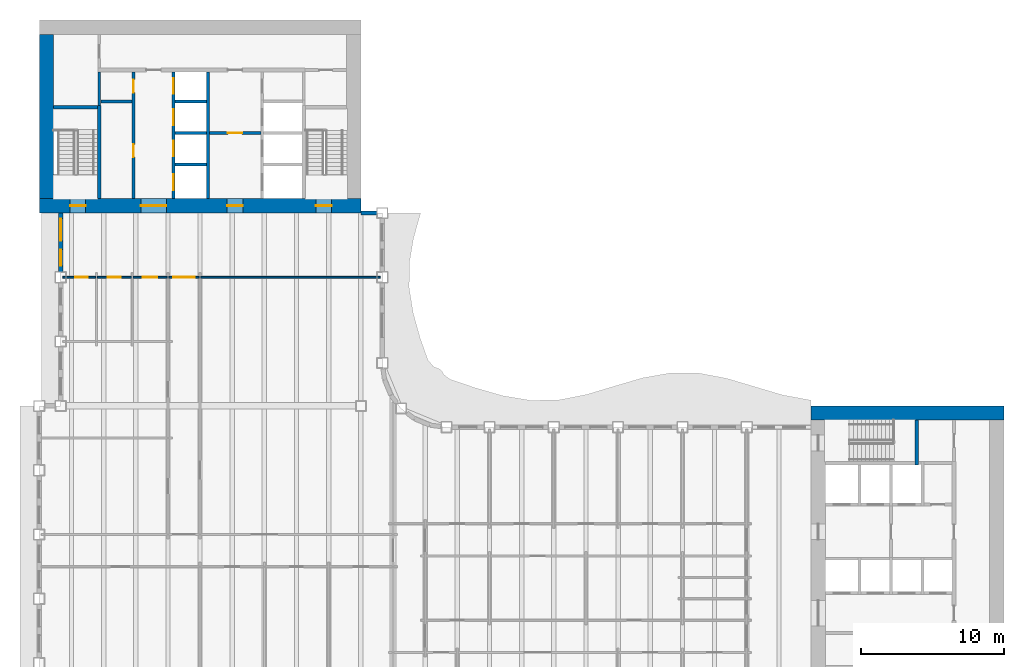
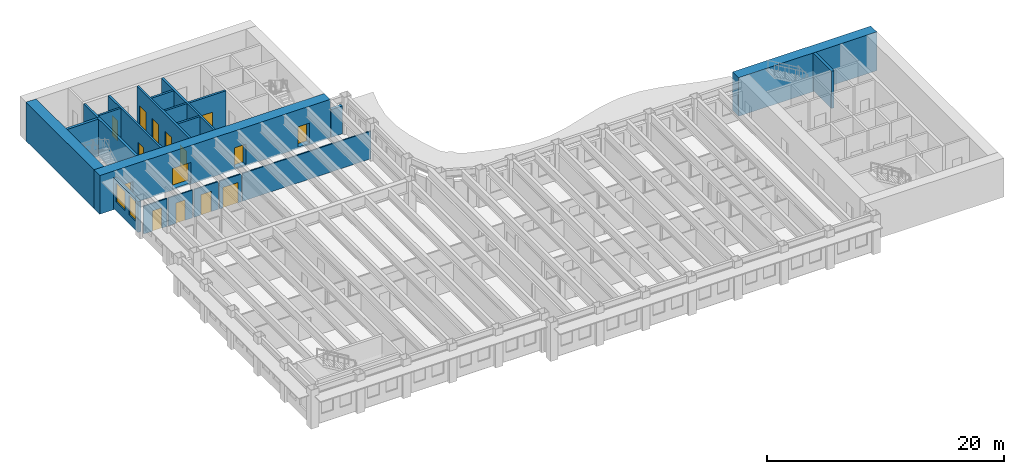
# One storey, part 8 of 16: 22 walls, 15 doors, 2 windows, 17 openings.
"""IFC4 building model written with IfcOpenShell, lengths in metres."""

from ifc_helpers import new_model, si_unit, direction, frame, frame_2d, origin, place, context, subcontext, project, spatial, rectangle, extrude, material, layer, layer_set, type_object, element, fill, save


model = new_model("IFC4")

# Units and contexts
model_context = context("Model", 3, precision=1e-05, world=origin(), true_north=direction((0.0, 1.0)))
body_context = subcontext(model_context, "Body", "Model", "MODEL_VIEW")
ifc_project = project(units=[si_unit("LENGTHUNIT", "METRE"), si_unit("AREAUNIT", "SQUARE_METRE"), si_unit("VOLUMEUNIT", "CUBIC_METRE"), si_unit("PLANEANGLEUNIT", "RADIAN"), si_unit("MASSUNIT", "GRAM", prefix="KILO")], contexts=[model_context])

# Site, building, storey
site_placement = place(None, origin())
site = spatial("IfcSite", under=ifc_project, at=site_placement, CompositionType="ELEMENT")
building_placement = place(site_placement, origin())
building = spatial("IfcBuilding", under=site, at=building_placement, Name="Sennacour Bend Tower", CompositionType="ELEMENT")
storey_placement = place(building_placement, frame((0.0, 0.0, 235.0)))
storey = spatial("IfcBuildingStorey", under=building, at=storey_placement, Name="L54", CompositionType="ELEMENT", Elevation=235.0)

# Wall
ifc_material_1 = material(Name="Concrete C60/75", Category="concrete")
ifc_layer_1 = layer(ifc_material_1, 1.0, Name="Concrete C60/75", Category="concrete")
ifc_layer_set_1 = layer_set([ifc_layer_1], Name="Concrete C60/75")
wall_type_1 = type_object("IfcWallType", Name="Core wall 1000 C60/75", PredefinedType="SHEAR", material=ifc_layer_set_1)
wall_1_placement = place(storey_placement, frame((54.0, 22.0, -0.14990234375), z_axis=(0.0, 0.0, 1.0), x_axis=(1.0, 0.0, 0.0)))
element("IfcWall", 1, at=wall_1_placement, inside=storey, type_object=wall_type_1, Name="Core A wall L54 N", PredefinedType="SHEAR", context=body_context, shape_type="SweptSolid", body=[
    extrude(rectangle(XDim=13.5, YDim=1.0, at=frame_2d((6.75, 0.0))), origin(), (0.0, 0.0, 1.0), 4.0),
])

# Wall, openings, doors
wall_2_placement = place(storey_placement, frame((0.0, 36.5, -0.14990234375), z_axis=(0.0, 0.0, 1.0), x_axis=(1.0, 0.0, 0.0)))
wall_2 = element("IfcWall", 2, at=wall_2_placement, inside=storey, type_object=wall_type_1, Name="Core B wall L54 S", PredefinedType="SHEAR", context=body_context, shape_type="SweptSolid", body=[
    extrude(rectangle(XDim=22.5, YDim=1.0, at=frame_2d((11.25, 0.0))), origin(), (0.0, 0.0, 1.0), 4.0),
])
opening_1_placement = place(wall_2_placement, frame((7.10009765625, 0.0, 0.14990234375)))
opening_1 = element("IfcOpeningElement", 3, at=opening_1_placement, cuts=wall_2, Name="Opening CD", PredefinedType="OPENING", context=body_context, shape_type="SweptSolid", body=[
    extrude(rectangle(XDim=1.800048828125, YDim=2.10009765625, at=frame_2d((0.89990234375, 1.050048828125))), frame((0.0, 0.510009765625, 0.0), z_axis=(0.0, -1.0, 0.0), x_axis=(1.0, 0.0, 0.0)), (0.0, 0.0, 1.0), 1.02001953125),
])
opening_2_placement = place(wall_2_placement, frame((13.14990234375, 0.0, 0.14990234375)))
opening_2 = element("IfcOpeningElement", 4, at=opening_2_placement, cuts=wall_2, Name="Opening FD", PredefinedType="OPENING", context=body_context, shape_type="SweptSolid", body=[
    extrude(rectangle(XDim=1.10009765625, YDim=2.10009765625, at=frame_2d((0.550048828125, 1.050048828125))), frame((0.0, 0.510009765625, 0.0), z_axis=(0.0, -1.0, 0.0), x_axis=(1.0, 0.0, 0.0)), (0.0, 0.0, 1.0), 1.02001953125),
])
opening_3_placement = place(wall_2_placement, frame((2.14990234375, 0.0, 0.14990234375)))
opening_3 = element("IfcOpeningElement", 5, at=opening_3_placement, cuts=wall_2, Name="Opening SD", PredefinedType="OPENING", context=body_context, shape_type="SweptSolid", body=[
    extrude(rectangle(XDim=1.10009765625, YDim=2.10009765625, at=frame_2d((0.550048828125, 1.050048828125))), frame((0.0, 0.510009765625, 0.0), z_axis=(0.0, -1.0, 0.0), x_axis=(1.0, 0.0, 0.0)), (0.0, 0.0, 1.0), 1.02001953125),
])
opening_4_placement = place(wall_2_placement, frame((19.35009765625, 0.0, 0.14990234375)))
opening_4 = element("IfcOpeningElement", 6, at=opening_4_placement, cuts=wall_2, Name="Opening SD", PredefinedType="OPENING", context=body_context, shape_type="SweptSolid", body=[
    extrude(rectangle(XDim=1.10009765625, YDim=2.10009765625, at=frame_2d((0.550048828125, 1.050048828125))), frame((0.0, 0.510009765625, 0.0), z_axis=(0.0, -1.0, 0.0), x_axis=(1.0, 0.0, 0.0)), (0.0, 0.0, 1.0), 1.02001953125),
])
ifc_material_2 = material(Name="Painted steel", Category="steel")
door_type_1 = type_object("IfcDoorType", Name="DR-FFL-1100", OperationType="NOTDEFINED", PredefinedType="DOOR", material=ifc_material_2)
door_1_placement = place(opening_2_placement, origin())
door_1 = element("IfcDoor", 7, at=door_1_placement, inside=storey, type_object=door_type_1, Name="Door", OperationType="SINGLE_SWING_RIGHT", OverallHeight=2.10009765625, OverallWidth=1.10009765625, PredefinedType="DOOR", context=body_context, shape_type="SweptSolid", body=[
    extrude(rectangle(XDim=1.10009765625, YDim=2.10009765625, at=frame_2d((0.550048828125, 1.050048828125))), frame((0.0, 0.02490234375, 0.0), z_axis=(0.0, -1.0, 0.0), x_axis=(1.0, 0.0, 0.0)), (0.0, 0.0, 1.0), 0.050048828125),
])
fill(opening_2, door_1)
door_type_2 = type_object("IfcDoorType", Name="DR-LOBBY-1800", OperationType="NOTDEFINED", PredefinedType="DOOR", material=ifc_material_2)
door_2_placement = place(opening_1_placement, origin())
door_2 = element("IfcDoor", 8, at=door_2_placement, inside=storey, type_object=door_type_2, Name="Door", OperationType="DOUBLE_DOOR_SINGLE_SWING", OverallHeight=2.10009765625, OverallWidth=1.800048828125, PredefinedType="DOOR", context=body_context, shape_type="SweptSolid", body=[
    extrude(rectangle(XDim=1.800048828125, YDim=2.10009765625, at=frame_2d((0.89990234375, 1.050048828125))), frame((0.0, 0.02490234375, 0.0), z_axis=(0.0, -1.0, 0.0), x_axis=(1.0, 0.0, 0.0)), (0.0, 0.0, 1.0), 0.050048828125),
])
fill(opening_1, door_2)
door_type_3 = type_object("IfcDoorType", Name="DR-STAIR-1100", OperationType="NOTDEFINED", PredefinedType="DOOR", material=ifc_material_2)
door_3_placement = place(opening_3_placement, origin())
door_3 = element("IfcDoor", 9, at=door_3_placement, inside=storey, type_object=door_type_3, Name="Door", OperationType="SINGLE_SWING_LEFT", OverallHeight=2.10009765625, OverallWidth=1.10009765625, PredefinedType="DOOR", context=body_context, shape_type="SweptSolid", body=[
    extrude(rectangle(XDim=1.10009765625, YDim=2.10009765625, at=frame_2d((0.550048828125, 1.050048828125))), frame((0.0, 0.02490234375, 0.0), z_axis=(0.0, -1.0, 0.0), x_axis=(1.0, 0.0, 0.0)), (0.0, 0.0, 1.0), 0.050048828125),
])
fill(opening_3, door_3)
door_4_placement = place(opening_4_placement, origin())
door_4 = element("IfcDoor", 10, at=door_4_placement, inside=storey, type_object=door_type_3, Name="Door", OperationType="SINGLE_SWING_RIGHT", OverallHeight=2.10009765625, OverallWidth=1.10009765625, PredefinedType="DOOR", context=body_context, shape_type="SweptSolid", body=[
    extrude(rectangle(XDim=1.10009765625, YDim=2.10009765625, at=frame_2d((0.550048828125, 1.050048828125))), frame((0.0, 0.02490234375, 0.0), z_axis=(0.0, -1.0, 0.0), x_axis=(1.0, 0.0, 0.0)), (0.0, 0.0, 1.0), 0.050048828125),
])
fill(opening_4, door_4)

# Wall
wall_3_placement = place(storey_placement, frame((0.5, 37.0, -0.14990234375), z_axis=(0.0, 0.0, 1.0), x_axis=(0.0, 1.0, 0.0)))
element("IfcWall", 11, at=wall_3_placement, inside=storey, type_object=wall_type_1, Name="Core B wall L54 W", PredefinedType="SHEAR", context=body_context, shape_type="SweptSolid", body=[
    extrude(rectangle(XDim=11.5, YDim=1.0, at=frame_2d((5.75, 0.0))), origin(), (0.0, 0.0, 1.0), 4.0),
])

# Wall, opening, door
ifc_material_3 = material(Name="Plasterboard partition on steel studs", Category="steel")
ifc_layer_2 = layer(ifc_material_3, 0.1201171875, Name="Plasterboard partition on steel studs", Category="steel")
ifc_layer_set_2 = layer_set([ifc_layer_2], Name="Plasterboard partition on steel studs")
wall_type_2 = type_object("IfcWallType", Name="Partition 120", PredefinedType="PARTITIONING", material=ifc_layer_set_2)
wall_4_placement = place(storey_placement, frame((1.64990234375, 31.5, 0.0), z_axis=(0.0, 0.0, 1.0), x_axis=(1.0, 0.0, 0.0)))
wall_4 = element("IfcWall", 12, at=wall_4_placement, inside=storey, type_object=wall_type_2, Name="P-L54-W076aa", PredefinedType="PARTITIONING", context=body_context, shape_type="SweptSolid", body=[
    extrude(rectangle(XDim=2.2900390625, YDim=0.1201171875, at=frame_2d((1.14501953125, 0.0))), origin(), (0.0, 0.0, 1.0), 2.8701171875),
])
opening_5_placement = place(wall_4_placement, frame((0.85009765625, 0.0, 0.0)))
opening_5 = element("IfcOpeningElement", 13, at=opening_5_placement, cuts=wall_4, Name="Opening WD", PredefinedType="OPENING", context=body_context, shape_type="SweptSolid", body=[
    extrude(rectangle(XDim=0.89990234375, YDim=2.10009765625, at=frame_2d((0.449951171875, 1.050048828125))), frame((0.0, 0.070068359375, 0.0), z_axis=(0.0, -1.0, 0.0), x_axis=(1.0, 0.0, 0.0)), (0.0, 0.0, 1.0), 0.14013671875),
])
ifc_material_4 = material(Name="Timber", Category="wood")
door_type_4 = type_object("IfcDoorType", Name="DR-WC-900", OperationType="NOTDEFINED", PredefinedType="DOOR", material=ifc_material_4)
door_5_placement = place(opening_5_placement, origin())
door_5 = element("IfcDoor", 14, at=door_5_placement, inside=storey, type_object=door_type_4, Name="Door", OperationType="SINGLE_SWING_RIGHT", OverallHeight=2.10009765625, OverallWidth=0.89990234375, PredefinedType="DOOR", context=body_context, shape_type="SweptSolid", body=[
    extrude(rectangle(XDim=0.89990234375, YDim=2.10009765625, at=frame_2d((0.449951171875, 1.050048828125))), frame((0.0, 0.02490234375, 0.0), z_axis=(0.0, -1.0, 0.0), x_axis=(1.0, 0.0, 0.0)), (0.0, 0.0, 1.0), 0.050048828125),
])
fill(opening_5, door_5)

wall_5_placement = place(storey_placement, frame((4.06005859375, 31.5, 0.0), z_axis=(0.0, 0.0, 1.0), x_axis=(1.0, 0.0, 0.0)))
wall_5 = element("IfcWall", 15, at=wall_5_placement, inside=storey, type_object=wall_type_2, Name="P-L54-W076ab", PredefinedType="PARTITIONING", context=body_context, shape_type="SweptSolid", body=[
    extrude(rectangle(XDim=2.3798828125, YDim=0.1201171875, at=frame_2d((1.18994140625, 0.0))), origin(), (0.0, 0.0, 1.0), 2.8701171875),
])
opening_6_placement = place(wall_5_placement, frame((0.739990234375, 0.0, 0.0)))
opening_6 = element("IfcOpeningElement", 16, at=opening_6_placement, cuts=wall_5, Name="Opening WD", PredefinedType="OPENING", context=body_context, shape_type="SweptSolid", body=[
    extrude(rectangle(XDim=0.89990234375, YDim=2.10009765625, at=frame_2d((0.449951171875, 1.050048828125))), frame((0.0, 0.070068359375, 0.0), z_axis=(0.0, -1.0, 0.0), x_axis=(1.0, 0.0, 0.0)), (0.0, 0.0, 1.0), 0.14013671875),
])
door_6_placement = place(opening_6_placement, origin())
door_6 = element("IfcDoor", 17, at=door_6_placement, inside=storey, type_object=door_type_4, Name="Door", OperationType="SINGLE_SWING_LEFT", OverallHeight=2.10009765625, OverallWidth=0.89990234375, PredefinedType="DOOR", context=body_context, shape_type="SweptSolid", body=[
    extrude(rectangle(XDim=0.89990234375, YDim=2.10009765625, at=frame_2d((0.449951171875, 1.050048828125))), frame((0.0, 0.02490234375, 0.0), z_axis=(0.0, -1.0, 0.0), x_axis=(1.0, 0.0, 0.0)), (0.0, 0.0, 1.0), 0.050048828125),
])
fill(opening_6, door_6)

wall_6_placement = place(storey_placement, frame((6.56005859375, 31.5, 0.0), z_axis=(0.0, 0.0, 1.0), x_axis=(1.0, 0.0, 0.0)))
wall_6 = element("IfcWall", 18, at=wall_6_placement, inside=storey, type_object=wall_type_2, Name="P-L54-W076ac", PredefinedType="PARTITIONING", context=body_context, shape_type="SweptSolid", body=[
    extrude(rectangle(XDim=2.3798828125, YDim=0.1201171875, at=frame_2d((1.18994140625, 0.0))), origin(), (0.0, 0.0, 1.0), 2.8701171875),
])
opening_7_placement = place(wall_6_placement, frame((0.68994140625, 0.0, 0.0)))
opening_7 = element("IfcOpeningElement", 19, at=opening_7_placement, cuts=wall_6, Name="Opening AD", PredefinedType="OPENING", context=body_context, shape_type="SweptSolid", body=[
    extrude(rectangle(XDim=1.0, YDim=2.10009765625, at=frame_2d((0.5, 1.050048828125))), frame((0.0, 0.070068359375, 0.0), z_axis=(0.0, -1.0, 0.0), x_axis=(1.0, 0.0, 0.0)), (0.0, 0.0, 1.0), 0.14013671875),
])
door_type_5 = type_object("IfcDoorType", Name="DR-ACC-WC-1000", OperationType="NOTDEFINED", PredefinedType="DOOR", material=ifc_material_4)
door_7_placement = place(opening_7_placement, origin())
door_7 = element("IfcDoor", 20, at=door_7_placement, inside=storey, type_object=door_type_5, Name="Door", OperationType="SINGLE_SWING_LEFT", OverallHeight=2.10009765625, OverallWidth=1.0, PredefinedType="DOOR", context=body_context, shape_type="SweptSolid", body=[
    extrude(rectangle(XDim=1.0, YDim=2.10009765625, at=frame_2d((0.5, 1.050048828125))), frame((0.0, 0.02490234375, 0.0), z_axis=(0.0, -1.0, 0.0), x_axis=(1.0, 0.0, 0.0)), (0.0, 0.0, 1.0), 0.050048828125),
])
fill(opening_7, door_7)

# Wall
wall_7_placement = place(storey_placement, frame((11.31005859375, 31.5, 0.0), z_axis=(0.0, 0.0, 1.0), x_axis=(1.0, 0.0, 0.0)))
element("IfcWall", 21, at=wall_7_placement, inside=storey, type_object=wall_type_2, Name="P-L54-W076ae", PredefinedType="PARTITIONING", context=body_context, shape_type="SweptSolid", body=[
    extrude(rectangle(XDim=12.5400390625, YDim=0.1201171875, at=frame_2d((6.27001953125, 0.0))), origin(), (0.0, 0.0, 1.0), 2.8701171875),
])

# Wall, opening, door
ifc_layer_3 = layer(ifc_material_3, 0.1201171875, Name="Plasterboard partition on steel studs", Category="steel")
ifc_layer_set_3 = layer_set([ifc_layer_3], Name="Plasterboard partition on steel studs")
wall_type_3 = type_object("IfcWallType", Name="Partition 120 EI 30", PredefinedType="PARTITIONING", material=ifc_layer_set_3)
wall_8_placement = place(storey_placement, frame((9.06005859375, 31.5, 0.0), z_axis=(0.0, 0.0, 1.0), x_axis=(1.0, 0.0, 0.0)))
wall_8 = element("IfcWall", 22, at=wall_8_placement, inside=storey, type_object=wall_type_3, Name="P-L54-W076ad", PredefinedType="PARTITIONING", context=body_context, shape_type="SweptSolid", body=[
    extrude(rectangle(XDim=2.1298828125, YDim=0.1201171875, at=frame_2d((1.06494140625, 0.0))), origin(), (0.0, 0.0, 1.0), 2.8701171875),
])
opening_8_placement = place(wall_8_placement, frame((0.31494140625, 0.0, 0.0)))
opening_8 = element("IfcOpeningElement", 23, at=opening_8_placement, cuts=wall_8, Name="Opening KD", PredefinedType="OPENING", context=body_context, shape_type="SweptSolid", body=[
    extrude(rectangle(XDim=1.5, YDim=2.10009765625, at=frame_2d((0.75, 1.050048828125))), frame((0.0, 0.070068359375, 0.0), z_axis=(0.0, -1.0, 0.0), x_axis=(1.0, 0.0, 0.0)), (0.0, 0.0, 1.0), 0.14013671875),
])
door_type_6 = type_object("IfcDoorType", Name="DR-CORRIDOR-1500", OperationType="NOTDEFINED", PredefinedType="DOOR", material=ifc_material_2)
door_8_placement = place(opening_8_placement, origin())
door_8 = element("IfcDoor", 24, at=door_8_placement, inside=storey, type_object=door_type_6, Name="Door", OperationType="SINGLE_SWING_LEFT", OverallHeight=2.10009765625, OverallWidth=1.5, PredefinedType="DOOR", context=body_context, shape_type="SweptSolid", body=[
    extrude(rectangle(XDim=1.5, YDim=2.10009765625, at=frame_2d((0.75, 1.050048828125))), frame((0.0, 0.02490234375, 0.0), z_axis=(0.0, -1.0, 0.0), x_axis=(1.0, 0.0, 0.0)), (0.0, 0.0, 1.0), 0.050048828125),
])
fill(opening_8, door_8)

# Wall
ifc_material_5 = material(Name="Fire-rated plasterboard partition on steel studs", Category="steel")
ifc_layer_4 = layer(ifc_material_5, 0.199951171875, Name="Fire-rated plasterboard partition on steel studs", Category="steel")
ifc_layer_set_4 = layer_set([ifc_layer_4], Name="Fire-rated plasterboard partition on steel studs")
wall_type_4 = type_object("IfcWallType", Name="Rated partition 200", PredefinedType="PARTITIONING", material=ifc_layer_set_4)
wall_9_placement = place(storey_placement, frame((4.199951171875, 43.52490234375, 0.0), z_axis=(0.0, 0.0, 1.0), x_axis=(0.0, 1.0, 0.0)))
element("IfcWall", 25, at=wall_9_placement, inside=storey, type_object=wall_type_4, Name="P-L54-W006a", PredefinedType="PARTITIONING", context=body_context, shape_type="SweptSolid", body=[
    extrude(rectangle(XDim=2.3251953125, YDim=0.199951171875, at=frame_2d((1.16259765625, 0.0))), origin(), (0.0, 0.0, 1.0), 3.85009765625),
])

# Wall, openings, doors
wall_10_placement = place(storey_placement, frame((6.60009765625, 37.0, 0.0), z_axis=(0.0, 0.0, 1.0), x_axis=(0.0, 1.0, 0.0)))
wall_10 = element("IfcWall", 26, at=wall_10_placement, inside=storey, type_object=wall_type_4, Name="P-L54-W008", PredefinedType="PARTITIONING", context=body_context, shape_type="SweptSolid", body=[
    extrude(rectangle(XDim=8.85009765625, YDim=0.199951171875, at=frame_2d((4.425048828125, 0.0))), origin(), (0.0, 0.0, 1.0), 3.85009765625),
])
opening_9_placement = place(wall_10_placement, frame((2.89990234375, 0.0, 0.0)))
opening_9 = element("IfcOpeningElement", 27, at=opening_9_placement, cuts=wall_10, Name="Opening SV", PredefinedType="OPENING", context=body_context, shape_type="SweptSolid", body=[
    extrude(rectangle(XDim=0.89990234375, YDim=2.10009765625, at=frame_2d((0.449951171875, 1.050048828125))), frame((0.0, 0.10986328125, 0.0), z_axis=(0.0, -1.0, 0.0), x_axis=(1.0, 0.0, 0.0)), (0.0, 0.0, 1.0), 0.219970703125),
])
opening_10_placement = place(wall_10_placement, frame((7.425048828125, 0.0, 0.0)))
opening_10 = element("IfcOpeningElement", 28, at=opening_10_placement, cuts=wall_10, Name="Opening SV", PredefinedType="OPENING", context=body_context, shape_type="SweptSolid", body=[
    extrude(rectangle(XDim=0.89990234375, YDim=2.10009765625, at=frame_2d((0.449951171875, 1.050048828125))), frame((0.0, 0.10986328125, 0.0), z_axis=(0.0, -1.0, 0.0), x_axis=(1.0, 0.0, 0.0)), (0.0, 0.0, 1.0), 0.219970703125),
])
door_type_7 = type_object("IfcDoorType", Name="DR-SERVICE-900", OperationType="NOTDEFINED", PredefinedType="DOOR", material=ifc_material_2)
door_9_placement = place(opening_9_placement, origin())
door_9 = element("IfcDoor", 29, at=door_9_placement, inside=storey, type_object=door_type_7, Name="Door", OperationType="SINGLE_SWING_LEFT", OverallHeight=2.10009765625, OverallWidth=0.89990234375, PredefinedType="DOOR", context=body_context, shape_type="SweptSolid", body=[
    extrude(rectangle(XDim=0.89990234375, YDim=2.10009765625, at=frame_2d((0.449951171875, 1.050048828125))), frame((0.0, 0.02490234375, 0.0), z_axis=(0.0, -1.0, 0.0), x_axis=(1.0, 0.0, 0.0)), (0.0, 0.0, 1.0), 0.050048828125),
])
fill(opening_9, door_9)
door_10_placement = place(opening_10_placement, origin())
door_10 = element("IfcDoor", 30, at=door_10_placement, inside=storey, type_object=door_type_7, Name="Door", OperationType="SINGLE_SWING_RIGHT", OverallHeight=2.10009765625, OverallWidth=0.89990234375, PredefinedType="DOOR", context=body_context, shape_type="SweptSolid", body=[
    extrude(rectangle(XDim=0.89990234375, YDim=2.10009765625, at=frame_2d((0.449951171875, 1.050048828125))), frame((0.0, 0.02490234375, 0.0), z_axis=(0.0, -1.0, 0.0), x_axis=(1.0, 0.0, 0.0)), (0.0, 0.0, 1.0), 0.050048828125),
])
fill(opening_10, door_10)

# Wall
wall_11_placement = place(storey_placement, frame((4.300048828125, 43.800048828125, 0.0), z_axis=(0.0, 0.0, 1.0), x_axis=(1.0, 0.0, 0.0)))
element("IfcWall", 31, at=wall_11_placement, inside=storey, type_object=wall_type_4, Name="P-L54-W085", PredefinedType="PARTITIONING", context=body_context, shape_type="SweptSolid", body=[
    extrude(rectangle(XDim=2.199951171875, YDim=0.199951171875, at=frame_2d((1.10009765625, 0.0))), origin(), (0.0, 0.0, 1.0), 3.85009765625),
])

# Wall, opening, door
ifc_layer_5 = layer(ifc_material_5, 0.199951171875, Name="Fire-rated plasterboard partition on steel studs", Category="steel")
ifc_layer_set_5 = layer_set([ifc_layer_5], Name="Fire-rated plasterboard partition on steel studs")
wall_type_5 = type_object("IfcWallType", Name="Rated partition 200 EI 90", PredefinedType="PARTITIONING", material=ifc_layer_set_5)
wall_12_placement = place(storey_placement, frame((11.89990234375, 41.60009765625, 0.0), z_axis=(0.0, 0.0, 1.0), x_axis=(1.0, 0.0, 0.0)))
wall_12 = element("IfcWall", 32, at=wall_12_placement, inside=storey, type_object=wall_type_5, Name="P-L54-W081", PredefinedType="PARTITIONING", context=body_context, shape_type="SweptSolid", body=[
    extrude(rectangle(XDim=3.60009765625, YDim=0.199951171875, at=frame_2d((1.800048828125, 0.0))), origin(), (0.0, 0.0, 1.0), 3.85009765625),
])
opening_11_placement = place(wall_12_placement, frame((1.300048828125, 0.0, 0.0)))
opening_11 = element("IfcOpeningElement", 33, at=opening_11_placement, cuts=wall_12, Name="Opening FD2", PredefinedType="OPENING", context=body_context, shape_type="SweptSolid", body=[
    extrude(rectangle(XDim=1.0, YDim=2.10009765625, at=frame_2d((0.5, 1.050048828125))), frame((0.0, 0.10986328125, 0.0), z_axis=(0.0, -1.0, 0.0), x_axis=(1.0, 0.0, 0.0)), (0.0, 0.0, 1.0), 0.219970703125),
])
door_type_8 = type_object("IfcDoorType", Name="DR-FFL-1000", OperationType="NOTDEFINED", PredefinedType="DOOR", material=ifc_material_2)
door_11_placement = place(opening_11_placement, origin())
door_11 = element("IfcDoor", 34, at=door_11_placement, inside=storey, type_object=door_type_8, Name="Door", OperationType="SINGLE_SWING_RIGHT", OverallHeight=2.10009765625, OverallWidth=1.0, PredefinedType="DOOR", context=body_context, shape_type="SweptSolid", body=[
    extrude(rectangle(XDim=1.0, YDim=2.10009765625, at=frame_2d((0.5, 1.050048828125))), frame((0.0, 0.02490234375, 0.0), z_axis=(0.0, -1.0, 0.0), x_axis=(1.0, 0.0, 0.0)), (0.0, 0.0, 1.0), 0.050048828125),
])
fill(opening_11, door_11)

# Wall
ifc_material_6 = material(Name="Warm limestone cladding", Category="masonry")
ifc_layer_6 = layer(ifc_material_6, 0.050048828125, Name="Warm limestone cladding", Category="masonry")
ifc_material_7 = material(Name="Precast concrete C40/50", Category="concrete")
ifc_layer_7 = layer(ifc_material_7, 0.25, Name="Precast concrete C40/50", Category="concrete")
ifc_layer_set_6 = layer_set([ifc_layer_6, ifc_layer_7], Name="Precast concrete C40/50 with limestone cladding")
wall_type_6 = type_object("IfcWallType", Name="STONE-CLAD PRECAST SPANDREL 300", PredefinedType="STANDARD", material=ifc_layer_set_6)
wall_13_placement = place(storey_placement, frame((23.625, 36.0, 0.0), z_axis=(0.0, 0.0, 1.0), x_axis=(-1.0, 0.0, 0.0)))
element("IfcWall", 35, at=wall_13_placement, inside=storey, type_object=wall_type_6, Name="Stone spandrel and pier wall L54 14.00", PredefinedType="STANDARD", context=body_context, shape_type="SweptSolid", body=[
    extrude(rectangle(XDim=1.125, YDim=0.300048828125, at=frame_2d((0.5625, 0.0))), origin(), (0.0, 0.0, 1.0), 2.8701171875),
])

# Wall, openings, windows
wall_14_placement = place(storey_placement, frame((1.5, 36.0, 0.0), z_axis=(0.0, 0.0, 1.0), x_axis=(0.0, -1.0, 0.0)))
wall_14 = element("IfcWall", 36, at=wall_14_placement, inside=storey, type_object=wall_type_6, Name="Stone spandrel and pier wall L54 19.00", PredefinedType="STANDARD", context=body_context, shape_type="SweptSolid", body=[
    extrude(rectangle(XDim=4.125, YDim=0.300048828125, at=frame_2d((2.0625, 0.0))), origin(), (0.0, 0.0, 1.0), 3.156982421875),
])
opening_12_placement = place(wall_14_placement, frame((0.39990234375, 0.0, 0.89990234375)))
opening_12 = element("IfcOpeningElement", 37, at=opening_12_placement, cuts=wall_14, Name="Opening W9", PredefinedType="OPENING", context=body_context, shape_type="SweptSolid", body=[
    extrude(rectangle(XDim=1.550048828125, YDim=2.0, at=frame_2d((0.77490234375, 1.0))), frame((0.0, 0.16015625, 0.0), z_axis=(0.0, -1.0, 0.0), x_axis=(1.0, 0.0, 0.0)), (0.0, 0.0, 1.0), 0.320068359375),
])
opening_13_placement = place(wall_14_placement, frame((2.5625, 0.0, 0.89990234375)))
opening_13 = element("IfcOpeningElement", 38, at=opening_13_placement, cuts=wall_14, Name="Opening W24", PredefinedType="OPENING", context=body_context, shape_type="SweptSolid", body=[
    extrude(rectangle(XDim=1.14990234375, YDim=2.0, at=frame_2d((0.574951171875, 1.0))), frame((0.0, 0.16015625, 0.0), z_axis=(0.0, -1.0, 0.0), x_axis=(1.0, 0.0, 0.0)), (0.0, 0.0, 1.0), 0.320068359375),
])
ifc_material_8 = material(Name="Clear low-emissivity glass", Category="glass")
window_type_1 = type_object("IfcWindowType", Name="WIN-RIBBON-1150x2000", PartitioningType="SINGLE_PANEL", PredefinedType="WINDOW", material=ifc_material_8)
window_1_placement = place(opening_13_placement, origin())
window_1 = element("IfcWindow", 39, at=window_1_placement, inside=storey, type_object=window_type_1, Name="Ribbon window L54 19.00.1", OverallHeight=2.0, OverallWidth=1.14990234375, PartitioningType="SINGLE_PANEL", PredefinedType="WINDOW", context=body_context, shape_type="SweptSolid", body=[
    extrude(rectangle(XDim=1.14990234375, YDim=2.0, at=frame_2d((0.574951171875, 1.0))), frame((0.0, 0.030029296875, 0.0), z_axis=(0.0, -1.0, 0.0), x_axis=(1.0, 0.0, 0.0)), (0.0, 0.0, 1.0), 0.06005859375),
])
fill(opening_13, window_1)
window_type_2 = type_object("IfcWindowType", Name="WIN-RIBBON-1550x2000", PartitioningType="SINGLE_PANEL", PredefinedType="WINDOW", material=ifc_material_8)
window_2_placement = place(opening_12_placement, origin())
window_2 = element("IfcWindow", 40, at=window_2_placement, inside=storey, type_object=window_type_2, Name="Ribbon window L54 19.00.0", OverallHeight=2.0, OverallWidth=1.550048828125, PartitioningType="SINGLE_PANEL", PredefinedType="WINDOW", context=body_context, shape_type="SweptSolid", body=[
    extrude(rectangle(XDim=1.550048828125, YDim=2.0, at=frame_2d((0.77490234375, 1.0))), frame((0.0, 0.030029296875, 0.0), z_axis=(0.0, -1.0, 0.0), x_axis=(1.0, 0.0, 0.0)), (0.0, 0.0, 1.0), 0.06005859375),
])
fill(opening_12, window_2)

# Wall, openings, doors
ifc_material_9 = material(Name="Concrete C50/60", Category="concrete")
ifc_layer_8 = layer(ifc_material_9, 0.199951171875, Name="Concrete C50/60", Category="concrete")
ifc_layer_set_7 = layer_set([ifc_layer_8], Name="Concrete C50/60")
wall_type_7 = type_object("IfcWallType", Name="Shaft wall 200", PredefinedType="SOLIDWALL", material=ifc_layer_set_7)
wall_15_placement = place(storey_placement, frame((9.39990234375, 37.0, 0.0), z_axis=(0.0, 0.0, 1.0), x_axis=(0.0, 1.0, 0.0)))
wall_15 = element("IfcWall", 41, at=wall_15_placement, inside=storey, type_object=wall_type_7, Name="P-L54-W011", PredefinedType="SOLIDWALL", context=body_context, shape_type="SweptSolid", body=[
    extrude(rectangle(XDim=8.85009765625, YDim=0.199951171875, at=frame_2d((4.425048828125, 0.0))), origin(), (0.0, 0.0, 1.0), 3.85009765625),
])
opening_14_placement = place(wall_15_placement, frame((0.60009765625, 0.0, 0.011962890625)))
opening_14 = element("IfcOpeningElement", 42, at=opening_14_placement, cuts=wall_15, Name="Opening LD", PredefinedType="OPENING", context=body_context, shape_type="SweptSolid", body=[
    extrude(rectangle(XDim=1.10009765625, YDim=2.10009765625, at=frame_2d((0.550048828125, 1.050048828125))), frame((0.0, 0.10986328125, 0.0), z_axis=(0.0, -1.0, 0.0), x_axis=(1.0, 0.0, 0.0)), (0.0, 0.0, 1.0), 0.219970703125),
])
opening_15_placement = place(wall_15_placement, frame((2.949951171875, 0.0, 0.011962890625)))
opening_15 = element("IfcOpeningElement", 43, at=opening_15_placement, cuts=wall_15, Name="Opening LD", PredefinedType="OPENING", context=body_context, shape_type="SweptSolid", body=[
    extrude(rectangle(XDim=1.10009765625, YDim=2.10009765625, at=frame_2d((0.550048828125, 1.050048828125))), frame((0.0, 0.10986328125, 0.0), z_axis=(0.0, -1.0, 0.0), x_axis=(1.0, 0.0, 0.0)), (0.0, 0.0, 1.0), 0.219970703125),
])
opening_16_placement = place(wall_15_placement, frame((5.14990234375, 0.0, 0.011962890625)))
opening_16 = element("IfcOpeningElement", 44, at=opening_16_placement, cuts=wall_15, Name="Opening LD", PredefinedType="OPENING", context=body_context, shape_type="SweptSolid", body=[
    extrude(rectangle(XDim=1.10009765625, YDim=2.10009765625, at=frame_2d((0.550048828125, 1.050048828125))), frame((0.0, 0.10986328125, 0.0), z_axis=(0.0, -1.0, 0.0), x_axis=(1.0, 0.0, 0.0)), (0.0, 0.0, 1.0), 0.219970703125),
])
opening_17_placement = place(wall_15_placement, frame((7.324951171875, 0.0, 0.011962890625)))
opening_17 = element("IfcOpeningElement", 45, at=opening_17_placement, cuts=wall_15, Name="Opening LD", PredefinedType="OPENING", context=body_context, shape_type="SweptSolid", body=[
    extrude(rectangle(XDim=1.10009765625, YDim=2.10009765625, at=frame_2d((0.550048828125, 1.050048828125))), frame((0.0, 0.10986328125, 0.0), z_axis=(0.0, -1.0, 0.0), x_axis=(1.0, 0.0, 0.0)), (0.0, 0.0, 1.0), 0.219970703125),
])
ifc_material_10 = material(Name="Stainless steel", Category="steel")
door_type_9 = type_object("IfcDoorType", Name="DR-LANDING-1100", OperationType="NOTDEFINED", PredefinedType="DOOR", material=ifc_material_10)
door_12_placement = place(opening_14_placement, origin())
door_12 = element("IfcDoor", 46, at=door_12_placement, inside=storey, type_object=door_type_9, Name="Lift landing door MB1", OperationType="SLIDING_TO_RIGHT", OverallHeight=2.10009765625, OverallWidth=1.10009765625, PredefinedType="DOOR", context=body_context, shape_type="SweptSolid", body=[
    extrude(rectangle(XDim=1.10009765625, YDim=2.10009765625, at=frame_2d((0.550048828125, 1.050048828125))), frame((0.0, 0.02490234375, 0.0), z_axis=(0.0, -1.0, 0.0), x_axis=(1.0, 0.0, 0.0)), (0.0, 0.0, 1.0), 0.050048828125),
])
fill(opening_14, door_12)
door_13_placement = place(opening_15_placement, origin())
door_13 = element("IfcDoor", 47, at=door_13_placement, inside=storey, type_object=door_type_9, Name="Lift landing door MB2", OperationType="SLIDING_TO_LEFT", OverallHeight=2.10009765625, OverallWidth=1.10009765625, PredefinedType="DOOR", context=body_context, shape_type="SweptSolid", body=[
    extrude(rectangle(XDim=1.10009765625, YDim=2.10009765625, at=frame_2d((0.550048828125, 1.050048828125))), frame((0.0, 0.02490234375, 0.0), z_axis=(0.0, -1.0, 0.0), x_axis=(1.0, 0.0, 0.0)), (0.0, 0.0, 1.0), 0.050048828125),
])
fill(opening_15, door_13)
door_14_placement = place(opening_16_placement, origin())
door_14 = element("IfcDoor", 48, at=door_14_placement, inside=storey, type_object=door_type_9, Name="Lift landing door MB3", OperationType="SLIDING_TO_RIGHT", OverallHeight=2.10009765625, OverallWidth=1.10009765625, PredefinedType="DOOR", context=body_context, shape_type="SweptSolid", body=[
    extrude(rectangle(XDim=1.10009765625, YDim=2.10009765625, at=frame_2d((0.550048828125, 1.050048828125))), frame((0.0, 0.02490234375, 0.0), z_axis=(0.0, -1.0, 0.0), x_axis=(1.0, 0.0, 0.0)), (0.0, 0.0, 1.0), 0.050048828125),
])
fill(opening_16, door_14)
door_15_placement = place(opening_17_placement, origin())
door_15 = element("IfcDoor", 49, at=door_15_placement, inside=storey, type_object=door_type_9, Name="Lift landing door MB4", OperationType="SLIDING_TO_LEFT", OverallHeight=2.10009765625, OverallWidth=1.10009765625, PredefinedType="DOOR", context=body_context, shape_type="SweptSolid", body=[
    extrude(rectangle(XDim=1.10009765625, YDim=2.10009765625, at=frame_2d((0.550048828125, 1.050048828125))), frame((0.0, 0.02490234375, 0.0), z_axis=(0.0, -1.0, 0.0), x_axis=(1.0, 0.0, 0.0)), (0.0, 0.0, 1.0), 0.050048828125),
])
fill(opening_17, door_15)

# Walls
wall_16_placement = place(storey_placement, frame((11.800048828125, 37.0, 0.0), z_axis=(0.0, 0.0, 1.0), x_axis=(0.0, 1.0, 0.0)))
element("IfcWall", 50, at=wall_16_placement, inside=storey, type_object=wall_type_7, Name="P-L54-W014", PredefinedType="SOLIDWALL", context=body_context, shape_type="SweptSolid", body=[
    extrude(rectangle(XDim=8.85009765625, YDim=0.199951171875, at=frame_2d((4.425048828125, 0.0))), origin(), (0.0, 0.0, 1.0), 3.85009765625),
])
for number, where, z_axis, x_axis, name in (
    (51, (9.5, 39.39990234375, 0.0), (0.0, 0.0, 1.0), (1.0, 0.0, 0.0), "P-L54-W078"),
    (52, (9.5, 41.60009765625, 0.0), (0.0, 0.0, 1.0), (1.0, 0.0, 0.0), "P-L54-W080"),
    (53, (9.5, 43.800048828125, 0.0), (0.0, 0.0, 1.0), (1.0, 0.0, 0.0), "P-L54-W086"),
):
    element("IfcWall", number, at=place(storey_placement, frame(where, z_axis=z_axis, x_axis=x_axis)), inside=storey, type_object=wall_type_7, Name=name, PredefinedType="SOLIDWALL", context=body_context, shape_type="SweptSolid", body=[
        extrude(rectangle(XDim=2.199951171875, YDim=0.199951171875, at=frame_2d((1.10009765625, 0.0))), origin(), (0.0, 0.0, 1.0), 3.85009765625),
    ])
ifc_layer_9 = layer(ifc_material_1, 0.25, Name="Concrete C60/75", Category="concrete")
ifc_layer_set_8 = layer_set([ifc_layer_9], Name="Concrete C60/75")
wall_type_8 = type_object("IfcWallType", Name="Stair wall 250", PredefinedType="SHEAR", material=ifc_layer_set_8)
wall_17_placement = place(storey_placement, frame((4.199951171875, 37.0, 0.0), z_axis=(0.0, 0.0, 1.0), x_axis=(0.0, 1.0, 0.0)))
element("IfcWall", 54, at=wall_17_placement, inside=storey, type_object=wall_type_8, Name="P-L54-W005", PredefinedType="SHEAR", context=body_context, shape_type="SweptSolid", body=[
    extrude(rectangle(XDim=6.52490234375, YDim=0.25, at=frame_2d((3.262451171875, 0.0))), origin(), (0.0, 0.0, 1.0), 3.85009765625),
])
wall_18_placement = place(storey_placement, frame((61.39990234375, 18.375, 0.0), z_axis=(0.0, 0.0, 1.0), x_axis=(0.0, 1.0, 0.0)))
element("IfcWall", 55, at=wall_18_placement, inside=storey, type_object=wall_type_8, Name="P-L54-W043", PredefinedType="SHEAR", context=body_context, shape_type="SweptSolid", body=[
    extrude(rectangle(XDim=3.125, YDim=0.25, at=frame_2d((1.5625, 0.0))), origin(), (0.0, 0.0, 1.0), 3.85009765625),
])
wall_19_placement = place(storey_placement, frame((1.0, 43.39990234375, 0.0), z_axis=(0.0, 0.0, 1.0), x_axis=(1.0, 0.0, 0.0)))
element("IfcWall", 56, at=wall_19_placement, inside=storey, type_object=wall_type_8, Name="P-L54-W083", PredefinedType="SHEAR", context=body_context, shape_type="SweptSolid", body=[
    extrude(rectangle(XDim=3.074951171875, YDim=0.25, at=frame_2d((1.53759765625, 0.0))), origin(), (0.0, 0.0, 1.0), 3.85009765625),
])

save(model, "model.ifc")
